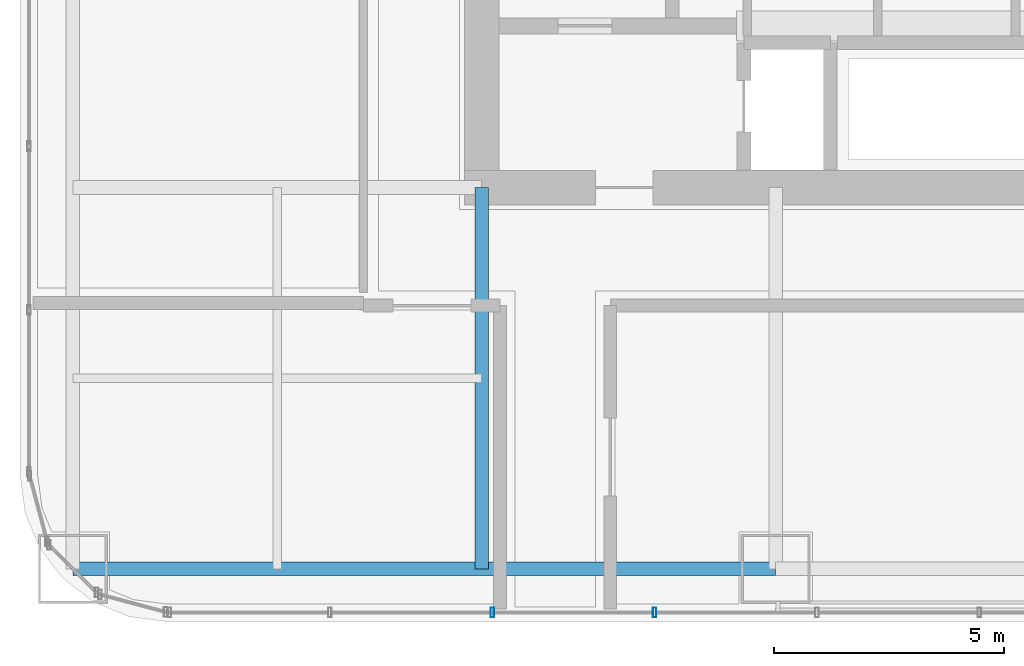
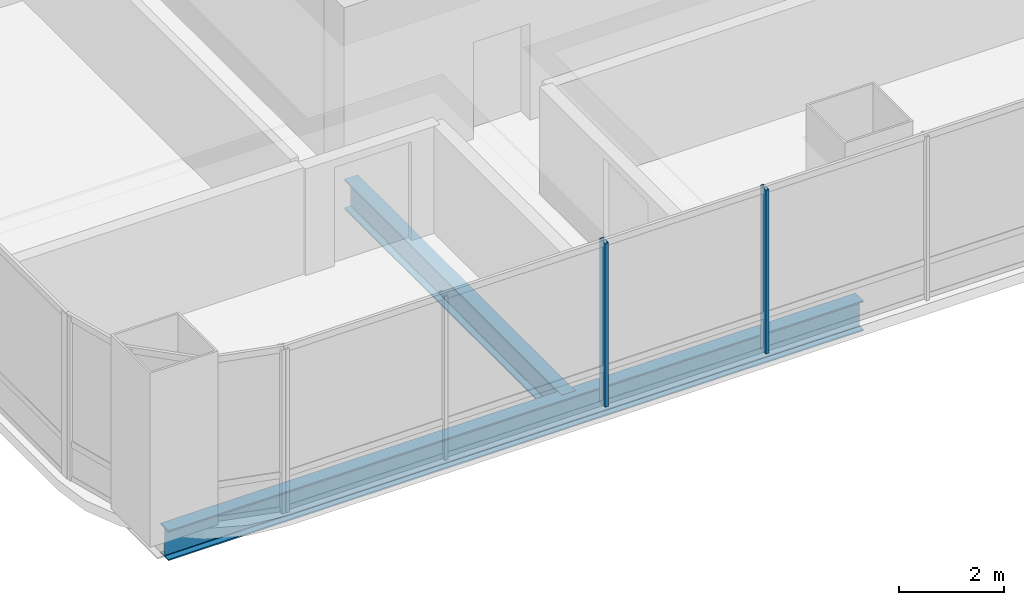
# One storey, part 3 of 34: 2 beams, 2 members, 1 element without a shape of its own.
"""IFC4 building model written with IfcOpenShell, lengths in metres."""

from ifc_helpers import new_model, si_unit, direction, frame, origin, origin_2d, place, context, subcontext, project, spatial, hollow_rectangle, i_section, extrude, material, material_profile, profile_set, type_object, element, aggregate, save


model = new_model("IFC4")

# Units and contexts
model_context = context("Model", 3, precision=1e-05, world=origin(), true_north=direction((0.0, 1.0)))
body_context = subcontext(model_context, "Body", "Model", "MODEL_VIEW")
ifc_project = project(units=[si_unit("LENGTHUNIT", "METRE"), si_unit("AREAUNIT", "SQUARE_METRE"), si_unit("VOLUMEUNIT", "CUBIC_METRE"), si_unit("PLANEANGLEUNIT", "RADIAN"), si_unit("MASSUNIT", "GRAM", prefix="KILO")], contexts=[model_context])

# Site, building, storey
site_placement = place(None, origin())
site = spatial("IfcSite", under=ifc_project, at=site_placement, CompositionType="ELEMENT")
building_placement = place(site_placement, origin())
building = spatial("IfcBuilding", under=site, at=building_placement, Name="Punatoya Terracotta Tower", CompositionType="ELEMENT")
storey_placement = place(building_placement, frame((0.0, 0.0, 105.14990234375)))
storey = spatial("IfcBuildingStorey", under=building, at=storey_placement, Name="L24", CompositionType="ELEMENT", Elevation=105.14990234375)

# Beams
ifc_material_1 = material(Name="Steel S355", Category="steel")
ifc_material_profile_1 = material_profile(ifc_material_1, i_section(OverallWidth=0.300048828125, OverallDepth=0.699951171875, WebThickness=0.01708984375, FlangeThickness=0.031982421875, FilletRadius=0.01806640625, at=origin_2d()))
ifc_profile_set_1 = profile_set([ifc_material_profile_1], Name="Steel S355")
beam_type = type_object("IfcBeamType", Name="BM-PRI-700", PredefinedType="BEAM", material=ifc_profile_set_1)
beam_1_placement = place(storey_placement, frame((-19.10009765625, -17.5, -0.58984375), z_axis=(1.0, 0.0, 0.0), x_axis=(0.0, 1.0, 0.0)))
element("IfcBeam", 1, at=beam_1_placement, inside=storey, type_object=beam_type, Name="BM-L24-RG-S1", PredefinedType="BEAM", context=body_context, shape_type="SweptSolid", body=[
    extrude(i_section(OverallWidth=0.300048828125, OverallDepth=0.699951171875, WebThickness=0.01708984375, FlangeThickness=0.031982421875, FilletRadius=0.01806640625, at=origin_2d()), origin(), (0.0, 0.0, 1.0), 15.300048828125),
])
beam_2_placement = place(storey_placement, frame((-10.199951171875, -17.5, -0.58984375), z_axis=(0.0, 1.0, 0.0), x_axis=(-1.0, 0.0, 0.0)))
element("IfcBeam", 2, at=beam_2_placement, inside=storey, type_object=beam_type, Name="BM-L24-PR-S1", PredefinedType="BEAM", context=body_context, shape_type="SweptSolid", body=[
    extrude(i_section(OverallWidth=0.300048828125, OverallDepth=0.699951171875, WebThickness=0.01708984375, FlangeThickness=0.031982421875, FilletRadius=0.01806640625, at=origin_2d()), origin(), (0.0, 0.0, 1.0), 8.300048828125),
])

# Curtain wall, members
ifc_material_2 = material(Name="Aluminium 6063-T6 + Double Low-E Glass", Category="aluminium")
curtain_wall_type = type_object("IfcCurtainWallType", Name="CW-M1", PredefinedType="NOTDEFINED", material=ifc_material_2)
curtain_wall_placement = place(storey_placement, origin())
curtain_wall = element("IfcCurtainWall", 3, at=curtain_wall_placement, inside=storey, type_object=curtain_wall_type, Name="L24 Curtain Wall CW-L24-S01-1", PredefinedType="NOTDEFINED")
ifc_material_3 = material(Name="Aluminium 6063-T6", Category="aluminium")
ifc_material_profile_2 = material_profile(ifc_material_3, hollow_rectangle(XDim=0.074951171875, YDim=0.2099609375, WallThickness=0.00439453125, at=origin_2d()))
ifc_profile_set_2 = profile_set([ifc_material_profile_2], Name="Aluminium 6063-T6")
member_type = type_object("IfcMemberType", Name="CW-MUL-M1", PredefinedType="MULLION", material=ifc_profile_set_2)
member_1_placement = place(storey_placement, frame((-9.968994140625, -18.449951171875, 0.0), z_axis=(0.0, 0.0, 1.0), x_axis=(1.0, 0.0, 0.0)))
member_1 = element("IfcMember", 4, at=member_1_placement, type_object=member_type, Name="CW-L24-S01-1 Mullion 02", PredefinedType="MULLION", context=body_context, shape_type="SweptSolid", body=[
    extrude(hollow_rectangle(XDim=0.074951171875, YDim=0.2099609375, WallThickness=0.00439453125, at=origin_2d()), origin(), (0.0, 0.0, 1.0), 3.81005859375),
])
member_2_placement = place(storey_placement, frame((-6.43505859375, -18.449951171875, 0.0), z_axis=(0.0, 0.0, 1.0), x_axis=(1.0, 0.0, 0.0)))
member_2 = element("IfcMember", 5, at=member_2_placement, type_object=member_type, Name="CW-L24-S01-1 Mullion 03", PredefinedType="MULLION", context=body_context, shape_type="SweptSolid", body=[
    extrude(hollow_rectangle(XDim=0.074951171875, YDim=0.2099609375, WallThickness=0.00439453125, at=origin_2d()), origin(), (0.0, 0.0, 1.0), 3.81005859375),
])
aggregate(curtain_wall, [member_1, member_2])

save(model, "model.ifc")
